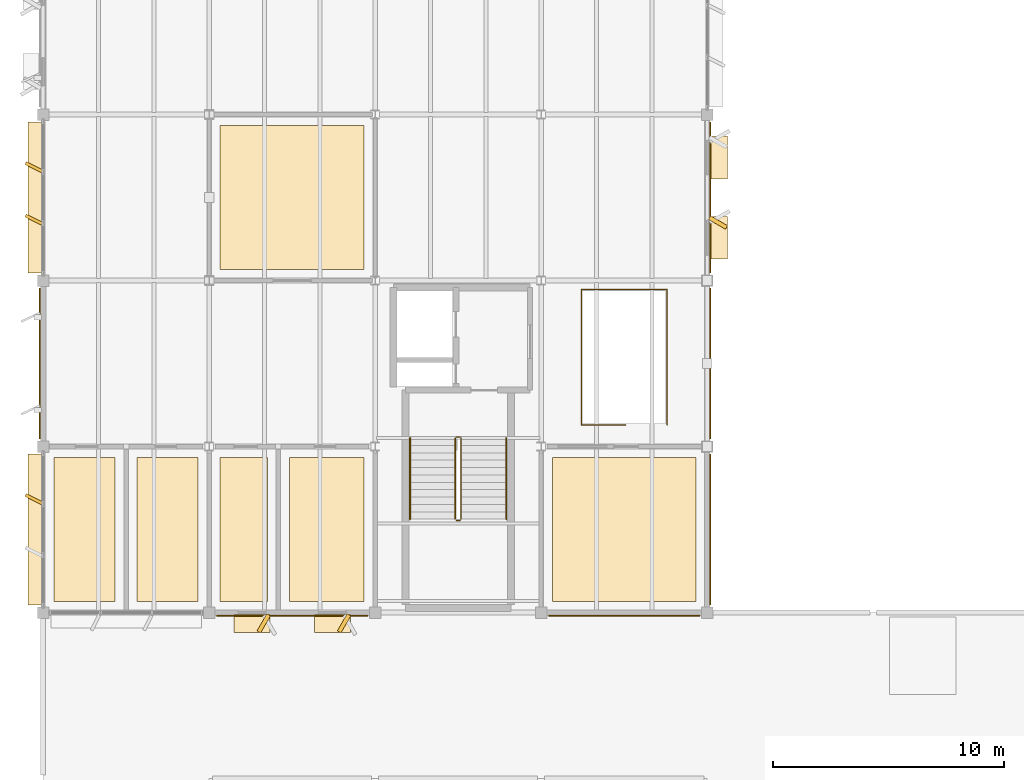
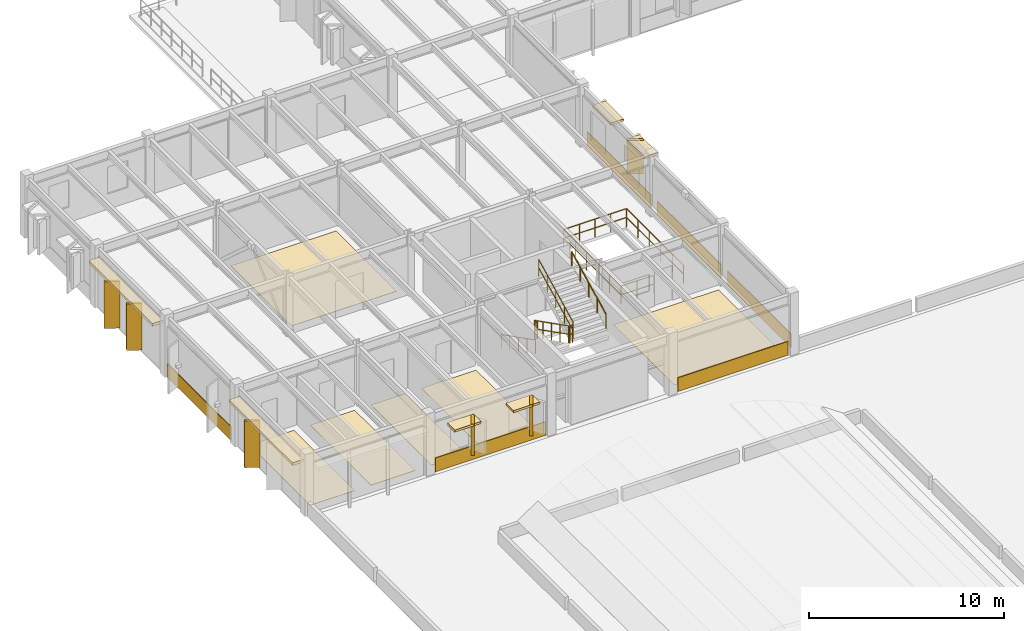
# One storey, part 72 of 82: 24 coverings, 7 railings.
"""IFC4 building model written with IfcOpenShell, lengths in metres."""

from ifc_helpers import new_model, si_unit, direction, frame, frame_2d, origin, origin_2d, place, context, subcontext, project, spatial, polyline, rectangle, circle, outline, extrude, material, layer, layer_set, type_object, element, save


model = new_model("IFC4")

# Units and contexts
model_context = context("Model", 3, precision=1e-05, world=origin(), true_north=direction((0.0, 1.0)))
body_context = subcontext(model_context, "Body", "Model", "MODEL_VIEW")
ifc_project = project(units=[si_unit("LENGTHUNIT", "METRE"), si_unit("AREAUNIT", "SQUARE_METRE"), si_unit("VOLUMEUNIT", "CUBIC_METRE"), si_unit("PLANEANGLEUNIT", "RADIAN"), si_unit("MASSUNIT", "GRAM", prefix="KILO")], contexts=[model_context])

# Site, building, storey
site_placement = place(None, origin())
site = spatial("IfcSite", under=ifc_project, at=site_placement, CompositionType="ELEMENT")
building_placement = place(site_placement, origin())
building = spatial("IfcBuilding", under=site, at=building_placement, Name="Sillqori Civic Hall", CompositionType="ELEMENT")
storey_placement = place(building_placement, frame((0.0, 0.0, 14.10009765625)))
storey = spatial("IfcBuildingStorey", under=building, at=storey_placement, Name="L04", CompositionType="ELEMENT", Elevation=14.10009765625)

# Coverings
ifc_material_1 = material(Name="Cochabamba Honed Limestone Cladding", Category="masonry")
ifc_layer_1 = layer(ifc_material_1, 0.044921875)
ifc_layer_set_1 = layer_set([ifc_layer_1], Name="Cochabamba Honed Limestone Cladding")
covering_type_1 = type_object("IfcCoveringType", Name="COV-CLAD-LIME", PredefinedType="CLADDING", material=ifc_layer_set_1)
covering_1_placement = place(storey_placement, frame((6.8798828125, 50.72998046875, 2.991943359375), z_axis=(0.0, 0.0, 1.0), x_axis=(0.0, 1.0, 0.0)))
element("IfcCovering", 1, at=covering_1_placement, inside=storey, type_object=covering_type_1, Name="L04 curtain-wall limestone solar hood L04-01-07-W", PredefinedType="CLADDING", context=body_context, shape_type="SweptSolid", body=[
    extrude(rectangle(XDim=6.5400390625, YDim=0.679931640625, at=frame_2d((3.27001953125, 0.0))), origin(), (0.0, 0.0, 1.0), 0.179931640625),
])
covering_2_placement = place(storey_placement, frame((7.14990234375, 55.138916015625, 0.059814453125), z_axis=(0.0, 0.0, 1.0), x_axis=(-0.894366527193, 0.447334902547, 0.0)))
element("IfcCovering", 2, at=covering_2_placement, inside=storey, type_object=covering_type_1, Name="L04 curtain-wall angled stone fin L04-01-07-W.2", PredefinedType="CLADDING", context=body_context, shape_type="SweptSolid", body=[
    extrude(rectangle(XDim=0.804931640625, YDim=0.139892578125, at=frame_2d((0.40234375, 0.0))), origin(), (0.0, 0.0, 1.0), 2.93212890625),
])
covering_3_placement = place(storey_placement, frame((7.06005859375, 57.929931640625, 0.039794921875), z_axis=(0.0, 0.0, 1.0), x_axis=(0.0, 1.0, 0.0)))
element("IfcCovering", 3, at=covering_3_placement, inside=storey, type_object=covering_type_1, Name="L04 limestone spandrel cladding L04-01-08-W", PredefinedType="CLADDING", context=body_context, shape_type="SweptSolid", body=[
    extrude(rectangle(XDim=6.5400390625, YDim=0.044921875, at=frame_2d((3.27001953125, 0.0))), origin(), (0.0, 0.0, 1.0), 0.860107421875),
])
covering_4_placement = place(storey_placement, frame((6.8798828125, 65.1298828125, 2.991943359375), z_axis=(0.0, 0.0, 1.0), x_axis=(0.0, 1.0, 0.0)))
element("IfcCovering", 4, at=covering_4_placement, inside=storey, type_object=covering_type_1, Name="L04 curtain-wall limestone solar hood L04-01-09-W", PredefinedType="CLADDING", context=body_context, shape_type="SweptSolid", body=[
    extrude(rectangle(XDim=6.5400390625, YDim=0.679931640625, at=frame_2d((3.27001953125, 0.0))), origin(), (0.0, 0.0, 1.0), 0.179931640625),
])
for number, where, z_axis, x_axis, name in (
    (5, (7.14990234375, 67.260986328125, 0.059814453125), (0.0, 0.0, 1.0), (-0.894366527193, 0.447334902547, 0.0), "L04 curtain-wall angled stone fin L04-01-09-W.1"),
    (6, (7.14990234375, 69.5390625, 0.059814453125), (0.0, 0.0, 1.0), (-0.894487846579, 0.44709226377, 0.0), "L04 curtain-wall angled stone fin L04-01-09-W.2"),
):
    element("IfcCovering", number, at=place(storey_placement, frame(where, z_axis=z_axis, x_axis=x_axis)), inside=storey, type_object=covering_type_1, Name=name, PredefinedType="CLADDING", context=body_context, shape_type="SweptSolid", body=[
        extrude(rectangle(XDim=0.804931640625, YDim=0.139892578125, at=frame_2d((0.40234375, 0.0))), origin(), (0.0, 0.0, 1.0), 2.93212890625),
    ])
covering_5_placement = place(storey_placement, frame((21.27001953125, 50.260009765625, 0.039794921875), z_axis=(0.0, 0.0, 1.0), x_axis=(-1.0, 0.0, 0.0)))
element("IfcCovering", 7, at=covering_5_placement, inside=storey, type_object=covering_type_1, Name="L04 limestone spandrel cladding L04-02-07-S", PredefinedType="CLADDING", context=body_context, shape_type="SweptSolid", body=[
    extrude(rectangle(XDim=6.5400390625, YDim=0.044921875, at=frame_2d((3.27001953125, 0.0))), origin(), (0.0, 0.0, 1.0), 0.860107421875),
])
covering_6_placement = place(storey_placement, frame((20.4619140625, 50.300048828125, 0.829833984375), z_axis=(0.0, 0.0, 1.0), x_axis=(-0.499846793097, -0.866113839764, 0.0)))
element("IfcCovering", 8, at=covering_6_placement, inside=storey, type_object=covering_type_1, Name="Sawtooth limestone angled reveal cheek L04-02-07-S.1", PredefinedType="CLADDING", context=body_context, shape_type="SweptSolid", body=[
    extrude(rectangle(XDim=0.849853515625, YDim=0.179931640625, at=frame_2d((0.4248046875, 0.0))), origin(), (0.0, 0.0, 1.0), 2.0),
])
covering_7_placement = place(storey_placement, frame((20.52197265625, 49.919921875, 2.68994140625), z_axis=(0.0, 0.0, 1.0), x_axis=(-1.0, 0.0, 0.0)))
element("IfcCovering", 9, at=covering_7_placement, inside=storey, type_object=covering_type_1, Name="Sawtooth limestone window hood L04-02-07-S.1", PredefinedType="CLADDING", context=body_context, shape_type="SweptSolid", body=[
    extrude(rectangle(XDim=1.56005859375, YDim=0.780029296875, at=frame_2d((0.780029296875, 0.0))), origin(), (0.0, 0.0, 1.0), 0.139892578125),
])
covering_8_placement = place(storey_placement, frame((16.97802734375, 50.300048828125, 0.829833984375), z_axis=(0.0, 0.0, 1.0), x_axis=(-0.500062241894, -0.865989465428, 0.0)))
element("IfcCovering", 10, at=covering_8_placement, inside=storey, type_object=covering_type_1, Name="Sawtooth limestone angled reveal cheek L04-02-07-S.2", PredefinedType="CLADDING", context=body_context, shape_type="SweptSolid", body=[
    extrude(rectangle(XDim=0.85009765625, YDim=0.179931640625, at=frame_2d((0.425048828125, 0.0))), origin(), (0.0, 0.0, 1.0), 2.0),
])
covering_9_placement = place(storey_placement, frame((17.0380859375, 49.919921875, 2.68994140625), z_axis=(0.0, 0.0, 1.0), x_axis=(-1.0, 0.0, 0.0)))
element("IfcCovering", 11, at=covering_9_placement, inside=storey, type_object=covering_type_1, Name="Sawtooth limestone window hood L04-02-07-S.2", PredefinedType="CLADDING", context=body_context, shape_type="SweptSolid", body=[
    extrude(rectangle(XDim=1.56005859375, YDim=0.780029296875, at=frame_2d((0.780029296875, 0.0))), origin(), (0.0, 0.0, 1.0), 0.139892578125),
])
for number, where, z_axis, x_axis, name in (
    (12, (35.669921875, 50.260009765625, 0.039794921875), (0.0, 0.0, 1.0), (-1.0, 0.0, 0.0), "L04 limestone spandrel cladding L04-04-07-S"),
    (13, (36.139892578125, 57.27001953125, 0.039794921875), (0.0, 0.0, 1.0), (0.0, -1.0, 0.0), "L04 limestone spandrel cladding L04-04-07-E"),
    (14, (36.139892578125, 64.469970703125, 0.039794921875), (0.0, 0.0, 1.0), (0.0, -1.0, 0.0), "L04 limestone spandrel cladding L04-04-08-E"),
    (15, (36.139892578125, 71.669921875, 0.039794921875), (0.0, 0.0, 1.0), (0.0, -1.0, 0.0), "L04 limestone spandrel cladding L04-04-09-E"),
):
    element("IfcCovering", number, at=place(storey_placement, frame(where, z_axis=z_axis, x_axis=x_axis)), inside=storey, type_object=covering_type_1, Name=name, PredefinedType="CLADDING", context=body_context, shape_type="SweptSolid", body=[
        extrude(rectangle(XDim=6.5400390625, YDim=0.044921875, at=frame_2d((3.27001953125, 0.0))), origin(), (0.0, 0.0, 1.0), 0.860107421875),
    ])
covering_10_placement = place(storey_placement, frame((36.47998046875, 71.072021484375, 2.789794921875), z_axis=(0.0, 0.0, 1.0), x_axis=(0.0, -1.0, 0.0)))
element("IfcCovering", 16, at=covering_10_placement, inside=storey, type_object=covering_type_1, Name="Sawtooth limestone window hood L04-04-09-E.1", PredefinedType="CLADDING", context=body_context, shape_type="SweptSolid", body=[
    extrude(rectangle(XDim=1.860107421875, YDim=0.780029296875, at=frame_2d((0.93017578125, 0.0))), origin(), (0.0, 0.0, 1.0), 0.14013671875),
])
covering_11_placement = place(storey_placement, frame((36.10009765625, 67.528076171875, 0.829833984375), z_axis=(0.0, 0.0, 1.0), x_axis=(0.865989465428, -0.500062241894, 0.0)))
element("IfcCovering", 17, at=covering_11_placement, inside=storey, type_object=covering_type_1, Name="Sawtooth limestone angled reveal cheek L04-04-09-E.2", PredefinedType="CLADDING", context=body_context, shape_type="SweptSolid", body=[
    extrude(rectangle(XDim=0.85009765625, YDim=0.179931640625, at=frame_2d((0.425048828125, 0.0))), origin(), (0.0, 0.0, 1.0), 2.10009765625),
])
covering_12_placement = place(storey_placement, frame((36.47998046875, 67.587890625, 2.789794921875), z_axis=(0.0, 0.0, 1.0), x_axis=(0.0, -1.0, 0.0)))
element("IfcCovering", 18, at=covering_12_placement, inside=storey, type_object=covering_type_1, Name="Sawtooth limestone window hood L04-04-09-E.2", PredefinedType="CLADDING", context=body_context, shape_type="SweptSolid", body=[
    extrude(rectangle(XDim=1.85986328125, YDim=0.780029296875, at=frame_2d((0.929931640625, 0.0))), origin(), (0.0, 0.0, 1.0), 0.14013671875),
])
ifc_material_2 = material(Name="Vitrified Porcelain Tile 18", Category="ceramic")
ifc_layer_2 = layer(ifc_material_2, 0.01806640625)
ifc_layer_set_2 = layer_set([ifc_layer_2], Name="Vitrified Porcelain Tile 18")
covering_type_2 = type_object("IfcCoveringType", Name="COV-FLR-P18", PredefinedType="FLOORING", material=ifc_layer_set_2)
covering_13_placement = place(storey_placement, origin())
element("IfcCovering", 19, at=covering_13_placement, inside=storey, type_object=covering_type_2, Name="Ethics and Oversight Committee Room floor finish", PredefinedType="FLOORING", context=body_context, shape_type="SweptSolid", body=[
    extrude(outline(polyline([(14.8798828125, 65.280029296875), (21.1201171875, 65.280029296875), (21.1201171875, 71.52001953125), (14.8798828125, 71.52001953125), (14.8798828125, 65.280029296875)])), origin(), (0.0, 0.0, 1.0), 0.017822265625),
])
ifc_material_3 = material(Name="Slip-Resistant R11 Porcelain Tile", Category="ceramic")
ifc_layer_3 = layer(ifc_material_3, 0.02001953125)
ifc_layer_set_3 = layer_set([ifc_layer_3], Name="Slip-Resistant R11 Porcelain Tile")
covering_type_3 = type_object("IfcCoveringType", Name="COV-FLR-POR", PredefinedType="FLOORING", material=ifc_layer_set_3)
covering_14_placement = place(storey_placement, origin())
element("IfcCovering", 20, at=covering_14_placement, inside=storey, type_object=covering_type_3, Name="L04 Public Male WC floor finish", PredefinedType="FLOORING", context=body_context, shape_type="SweptSolid", body=[
    extrude(outline(polyline([(7.679931640625, 50.8798828125), (10.320068359375, 50.8798828125), (10.320068359375, 57.1201171875), (7.679931640625, 57.1201171875), (7.679931640625, 50.8798828125)])), origin(), (0.0, 0.0, 1.0), 0.02001953125),
])
covering_15_placement = place(storey_placement, origin())
element("IfcCovering", 21, at=covering_15_placement, inside=storey, type_object=covering_type_3, Name="L04 Public Female WC floor finish", PredefinedType="FLOORING", context=body_context, shape_type="SweptSolid", body=[
    extrude(outline(polyline([(11.280029296875, 50.8798828125), (13.919921875, 50.8798828125), (13.919921875, 57.1201171875), (11.280029296875, 57.1201171875), (11.280029296875, 50.8798828125)])), origin(), (0.0, 0.0, 1.0), 0.02001953125),
])
covering_16_placement = place(storey_placement, origin())
element("IfcCovering", 22, at=covering_16_placement, inside=storey, type_object=covering_type_3, Name="L04 Accessible WC floor finish", PredefinedType="FLOORING", context=body_context, shape_type="SweptSolid", body=[
    extrude(outline(polyline([(14.8798828125, 50.8798828125), (16.919921875, 50.8798828125), (16.919921875, 57.1201171875), (14.8798828125, 57.1201171875), (14.8798828125, 50.8798828125)])), origin(), (0.0, 0.0, 1.0), 0.02001953125),
])
covering_17_placement = place(storey_placement, origin())
element("IfcCovering", 23, at=covering_17_placement, inside=storey, type_object=covering_type_3, Name="L04 Staff Sanitary and Cleaners Room floor finish", PredefinedType="FLOORING", context=body_context, shape_type="SweptSolid", body=[
    extrude(outline(polyline([(17.8798828125, 50.8798828125), (21.1201171875, 50.8798828125), (21.1201171875, 57.1201171875), (17.8798828125, 57.1201171875), (17.8798828125, 50.8798828125)])), origin(), (0.0, 0.0, 1.0), 0.02001953125),
])
ifc_material_4 = material(Name="Seamless Polyurethane Acoustic Screed 12", Category="resin")
ifc_layer_4 = layer(ifc_material_4, 0.011962890625)
ifc_layer_set_4 = layer_set([ifc_layer_4], Name="Seamless Polyurethane Acoustic Screed 12")
covering_type_4 = type_object("IfcCoveringType", Name="COV-FLR-R12", PredefinedType="FLOORING", material=ifc_layer_set_4)
covering_18_placement = place(storey_placement, origin())
element("IfcCovering", 24, at=covering_18_placement, inside=storey, type_object=covering_type_4, Name="Councillors Legislative Research Suite floor finish", PredefinedType="FLOORING", context=body_context, shape_type="SweptSolid", body=[
    extrude(outline(polyline([(29.280029296875, 50.8798828125), (35.52001953125, 50.8798828125), (35.52001953125, 57.1201171875), (29.280029296875, 57.1201171875), (29.280029296875, 50.8798828125)])), origin(), (0.0, 0.0, 1.0), 0.011962890625),
])

# Railings
ifc_material_5 = material(Name="Architectural Bronze and Tempered Glass Balustrade", Category="glass")
ifc_layer_5 = layer(ifc_material_5, 0.080078125)
ifc_layer_set_5 = layer_set([ifc_layer_5], Name="Architectural Bronze and Tempered Glass Balustrade")
railing_type_1 = type_object("IfcRailingType", Name="RLG-BALU-115", PredefinedType="BALUSTRADE", material=ifc_layer_set_5)
railing_1_placement = place(storey_placement, frame((32.4599609375, 58.5400390625, 0.0)))
element("IfcRailing", 25, at=railing_1_placement, inside=storey, type_object=railing_type_1, Name="Directorate Wing Stair L03-L04 upper atrium well balustrade", PredefinedType="BALUSTRADE", context=body_context, shape_type="SweptSolid", body=[
    extrude(circle(Radius=0.02392578125, at=origin_2d()), frame((0.0, 0.0, 1.1259765625), z_axis=(-1.0, 0.0, 0.0), x_axis=(0.0, -1.0, 0.0)), (0.0, 0.0, 1.0), 1.919921875),
    extrude(circle(Radius=0.02392578125, at=origin_2d()), frame((0.0, 0.0, 0.574951171875), z_axis=(-1.0, 0.0, 0.0), x_axis=(0.0, -1.0, 0.0)), (0.0, 0.0, 1.0), 1.919921875),
    extrude(circle(Radius=0.02392578125, at=origin_2d()), frame((-1.919921875, 0.0, 1.1259765625), z_axis=(0.0, 1.0, 0.0), x_axis=(-1.0, 0.0, 0.0)), (0.0, 0.0, 1.0), 5.869873046875),
    extrude(circle(Radius=0.02392578125, at=origin_2d()), frame((-1.919921875, 0.0, 0.574951171875), z_axis=(0.0, 1.0, 0.0), x_axis=(-1.0, 0.0, 0.0)), (0.0, 0.0, 1.0), 5.869873046875),
    extrude(circle(Radius=0.02392578125, at=origin_2d()), frame((-1.919921875, 5.869873046875, 1.1259765625), z_axis=(1.0, 0.0, 0.0), x_axis=(0.0, 1.0, 0.0)), (0.0, 0.0, 1.0), 3.719970703125),
    extrude(circle(Radius=0.02392578125, at=origin_2d()), frame((-1.919921875, 5.869873046875, 0.574951171875), z_axis=(1.0, 0.0, 0.0), x_axis=(0.0, 1.0, 0.0)), (0.0, 0.0, 1.0), 3.719970703125),
    extrude(circle(Radius=0.02392578125, at=origin_2d()), frame((1.800048828125, 5.869873046875, 1.1259765625), z_axis=(0.0, -1.0, 0.0), x_axis=(1.0, 0.0, 0.0)), (0.0, 0.0, 1.0), 5.869873046875),
    extrude(circle(Radius=0.02392578125, at=origin_2d()), frame((1.800048828125, 5.869873046875, 0.574951171875), z_axis=(0.0, -1.0, 0.0), x_axis=(1.0, 0.0, 0.0)), (0.0, 0.0, 1.0), 5.869873046875),
    extrude(circle(Radius=0.02099609375, at=origin_2d()), origin(), (0.0, 0.0, 1.0), 1.101806640625),
    extrude(circle(Radius=0.02099609375, at=origin_2d()), frame((-0.9599609375, 0.0, 0.0)), (0.0, 0.0, 1.0), 1.101806640625),
    extrude(circle(Radius=0.02099609375, at=origin_2d()), frame((-1.919921875, 0.0, 0.0)), (0.0, 0.0, 1.0), 1.101806640625),
    extrude(circle(Radius=0.02099609375, at=origin_2d()), frame((-1.919921875, 1.174072265625, 0.0)), (0.0, 0.0, 1.0), 1.101806640625),
    extrude(circle(Radius=0.02099609375, at=origin_2d()), frame((-1.919921875, 2.347900390625, 0.0)), (0.0, 0.0, 1.0), 1.101806640625),
    extrude(circle(Radius=0.02099609375, at=origin_2d()), frame((-1.919921875, 3.52197265625, 0.0)), (0.0, 0.0, 1.0), 1.101806640625),
    extrude(circle(Radius=0.02099609375, at=origin_2d()), frame((-1.919921875, 4.69580078125, 0.0)), (0.0, 0.0, 1.0), 1.101806640625),
    extrude(circle(Radius=0.02099609375, at=origin_2d()), frame((-1.919921875, 5.869873046875, 0.0)), (0.0, 0.0, 1.0), 1.101806640625),
    extrude(circle(Radius=0.02099609375, at=origin_2d()), frame((-0.989990234375, 5.869873046875, 0.0)), (0.0, 0.0, 1.0), 1.101806640625),
    extrude(circle(Radius=0.02099609375, at=origin_2d()), frame((-0.06005859375, 5.869873046875, 0.0)), (0.0, 0.0, 1.0), 1.101806640625),
    extrude(circle(Radius=0.02099609375, at=origin_2d()), frame((0.8701171875, 5.869873046875, 0.0)), (0.0, 0.0, 1.0), 1.101806640625),
    extrude(circle(Radius=0.02099609375, at=origin_2d()), frame((1.800048828125, 5.869873046875, 0.0)), (0.0, 0.0, 1.0), 1.101806640625),
    extrude(circle(Radius=0.02099609375, at=origin_2d()), frame((1.800048828125, 4.69580078125, 0.0)), (0.0, 0.0, 1.0), 1.101806640625),
    extrude(circle(Radius=0.02099609375, at=origin_2d()), frame((1.800048828125, 3.52197265625, 0.0)), (0.0, 0.0, 1.0), 1.101806640625),
    extrude(circle(Radius=0.02099609375, at=origin_2d()), frame((1.800048828125, 2.347900390625, 0.0)), (0.0, 0.0, 1.0), 1.101806640625),
    extrude(circle(Radius=0.02099609375, at=origin_2d()), frame((1.800048828125, 1.174072265625, 0.0)), (0.0, 0.0, 1.0), 1.101806640625),
    extrude(circle(Radius=0.02099609375, at=origin_2d()), frame((1.800048828125, 0.0, 0.0)), (0.0, 0.0, 1.0), 1.101806640625),
])
ifc_material_6 = material(Name="Brushed Stainless Steel 316 Handrail", Category="steel")
ifc_layer_6 = layer(ifc_material_6, 0.044921875)
ifc_layer_set_6 = layer_set([ifc_layer_6], Name="Brushed Stainless Steel 316 Handrail")
railing_type_2 = type_object("IfcRailingType", Name="RLG-CORE-092", PredefinedType="HANDRAIL", material=ifc_layer_set_6)
railing_2_placement = place(storey_placement, frame((23.110107421875, 57.969970703125, 0.162353515625)))
element("IfcRailing", 26, at=railing_2_placement, inside=storey, type_object=railing_type_2, Name="L04 ST-04 stair handrail 1", PredefinedType="HANDRAIL", context=body_context, shape_type="SweptSolid", body=[
    extrude(circle(Radius=0.02392578125, at=origin_2d()), frame((0.0, 0.0, 0.8759765625), z_axis=(0.0, -0.891614535321, 0.452795230103), x_axis=(1.0, 0.0, 0.0)), (0.0, 0.0, 1.0), 3.947998046875),
    extrude(circle(Radius=0.02099609375, at=origin_2d()), origin(), (0.0, 0.0, 1.0), 0.851806640625),
    extrude(circle(Radius=0.02099609375, at=origin_2d()), frame((0.0, -0.8798828125, 0.44677734375)), (0.0, 0.0, 1.0), 0.851806640625),
    extrude(circle(Radius=0.02099609375, at=origin_2d()), frame((0.0, -1.760009765625, 0.893798828125)), (0.0, 0.0, 1.0), 0.851806640625),
    extrude(circle(Radius=0.02099609375, at=origin_2d()), frame((0.0, -2.64013671875, 1.3408203125)), (0.0, 0.0, 1.0), 0.851806640625),
    extrude(circle(Radius=0.02099609375, at=origin_2d()), frame((0.0, -3.52001953125, 1.78759765625)), (0.0, 0.0, 1.0), 0.851806640625),
])
railing_3_placement = place(storey_placement, frame((27.2900390625, 54.449951171875, 2.1123046875)))
element("IfcRailing", 27, at=railing_3_placement, inside=storey, type_object=railing_type_2, Name="L04 ST-04 stair handrail 2", PredefinedType="HANDRAIL", context=body_context, shape_type="SweptSolid", body=[
    extrude(circle(Radius=0.02392578125, at=origin_2d()), frame((0.0, 0.0, 0.8759765625), z_axis=(0.0, 0.891614535321, 0.452795230103), x_axis=(-1.0, 0.0, 0.0)), (0.0, 0.0, 1.0), 3.947998046875),
    extrude(circle(Radius=0.02099609375, at=origin_2d()), origin(), (0.0, 0.0, 1.0), 0.851806640625),
    extrude(circle(Radius=0.02099609375, at=origin_2d()), frame((0.0, 0.8798828125, 0.44677734375)), (0.0, 0.0, 1.0), 0.851806640625),
    extrude(circle(Radius=0.02099609375, at=origin_2d()), frame((0.0, 1.760009765625, 0.893798828125)), (0.0, 0.0, 1.0), 0.851806640625),
    extrude(circle(Radius=0.02099609375, at=origin_2d()), frame((0.0, 2.64013671875, 1.3408203125)), (0.0, 0.0, 1.0), 0.851806640625),
    extrude(circle(Radius=0.02099609375, at=origin_2d()), frame((0.0, 3.52001953125, 1.78759765625)), (0.0, 0.0, 1.0), 0.851806640625),
])
ifc_material_7 = material(Name="Galvanized Painted Steel Guardrail", Category="steel")
ifc_layer_7 = layer(ifc_material_7, 0.050048828125)
ifc_layer_set_7 = layer_set([ifc_layer_7], Name="Galvanized Painted Steel Guardrail")
railing_type_3 = type_object("IfcRailingType", Name="RLG-CORE-110", PredefinedType="GUARDRAIL", material=ifc_layer_set_7)
railing_4_placement = place(storey_placement, frame((25.070068359375, 57.969970703125, 0.162353515625)))
element("IfcRailing", 28, at=railing_4_placement, inside=storey, type_object=railing_type_3, Name="L04 ST-04 stair guard 1", PredefinedType="GUARDRAIL", context=body_context, shape_type="SweptSolid", body=[
    extrude(circle(Radius=0.02392578125, at=origin_2d()), frame((0.0, 0.0, 1.076171875), z_axis=(0.0, -0.891614535321, 0.452795230103), x_axis=(1.0, 0.0, 0.0)), (0.0, 0.0, 1.0), 3.947998046875),
    extrude(circle(Radius=0.02392578125, at=origin_2d()), frame((0.0, 0.0, 0.550048828125), z_axis=(0.0, -0.891614535321, 0.452795230103), x_axis=(1.0, 0.0, 0.0)), (0.0, 0.0, 1.0), 3.947998046875),
    extrude(circle(Radius=0.02099609375, at=origin_2d()), origin(), (0.0, 0.0, 1.0), 1.052001953125),
    extrude(circle(Radius=0.02099609375, at=origin_2d()), frame((0.0, -0.8798828125, 0.44677734375)), (0.0, 0.0, 1.0), 1.052001953125),
    extrude(circle(Radius=0.02099609375, at=origin_2d()), frame((0.0, -1.760009765625, 0.893798828125)), (0.0, 0.0, 1.0), 1.052001953125),
    extrude(circle(Radius=0.02099609375, at=origin_2d()), frame((0.0, -2.64013671875, 1.3408203125)), (0.0, 0.0, 1.0), 1.052001953125),
    extrude(circle(Radius=0.02099609375, at=origin_2d()), frame((0.0, -3.52001953125, 1.78759765625)), (0.0, 0.0, 1.0), 1.052001953125),
])
railing_5_placement = place(storey_placement, frame((25.1201171875, 54.39990234375, 1.949951171875)))
element("IfcRailing", 29, at=railing_5_placement, inside=storey, type_object=railing_type_3, Name="L04 ST-04 stair guard 2", PredefinedType="GUARDRAIL", context=body_context, shape_type="SweptSolid", body=[
    extrude(circle(Radius=0.02392578125, at=origin_2d()), frame((0.0, 0.0, 1.076171875), z_axis=(1.0, 0.0, 0.0), x_axis=(0.0, 1.0, 0.0)), (0.0, 0.0, 1.0), 0.159912109375),
    extrude(circle(Radius=0.02392578125, at=origin_2d()), frame((0.0, 0.0, 0.550048828125), z_axis=(1.0, 0.0, 0.0), x_axis=(0.0, 1.0, 0.0)), (0.0, 0.0, 1.0), 0.159912109375),
    extrude(circle(Radius=0.02099609375, at=origin_2d()), origin(), (0.0, 0.0, 1.0), 1.052001953125),
    extrude(circle(Radius=0.02099609375, at=origin_2d()), frame((0.159912109375, 0.0, 0.0)), (0.0, 0.0, 1.0), 1.052001953125),
])
railing_6_placement = place(storey_placement, frame((25.330078125, 54.449951171875, 2.1123046875)))
element("IfcRailing", 30, at=railing_6_placement, inside=storey, type_object=railing_type_3, Name="L04 ST-04 stair guard 3", PredefinedType="GUARDRAIL", context=body_context, shape_type="SweptSolid", body=[
    extrude(circle(Radius=0.02392578125, at=origin_2d()), frame((0.0, 0.0, 1.076171875), z_axis=(0.0, 0.891614535321, 0.452795230103), x_axis=(-1.0, 0.0, 0.0)), (0.0, 0.0, 1.0), 3.947998046875),
    extrude(circle(Radius=0.02392578125, at=origin_2d()), frame((0.0, 0.0, 0.550048828125), z_axis=(0.0, 0.891614535321, 0.452795230103), x_axis=(-1.0, 0.0, 0.0)), (0.0, 0.0, 1.0), 3.947998046875),
    extrude(circle(Radius=0.02099609375, at=origin_2d()), origin(), (0.0, 0.0, 1.0), 1.052001953125),
    extrude(circle(Radius=0.02099609375, at=origin_2d()), frame((0.0, 0.8798828125, 0.44677734375)), (0.0, 0.0, 1.0), 1.052001953125),
    extrude(circle(Radius=0.02099609375, at=origin_2d()), frame((0.0, 1.760009765625, 0.893798828125)), (0.0, 0.0, 1.0), 1.052001953125),
    extrude(circle(Radius=0.02099609375, at=origin_2d()), frame((0.0, 2.64013671875, 1.3408203125)), (0.0, 0.0, 1.0), 1.052001953125),
    extrude(circle(Radius=0.02099609375, at=origin_2d()), frame((0.0, 3.52001953125, 1.78759765625)), (0.0, 0.0, 1.0), 1.052001953125),
])
railing_7_placement = place(storey_placement, frame((25.1201171875, 58.02001953125, 0.0)))
element("IfcRailing", 31, at=railing_7_placement, inside=storey, type_object=railing_type_3, Name="L04 ST-04 stair guard 4", PredefinedType="GUARDRAIL", context=body_context, shape_type="SweptSolid", body=[
    extrude(circle(Radius=0.02392578125, at=origin_2d()), frame((0.0, 0.0, 1.076171875), z_axis=(1.0, 0.0, 0.0), x_axis=(0.0, 1.0, 0.0)), (0.0, 0.0, 1.0), 0.159912109375),
    extrude(circle(Radius=0.02392578125, at=origin_2d()), frame((0.0, 0.0, 0.550048828125), z_axis=(1.0, 0.0, 0.0), x_axis=(0.0, 1.0, 0.0)), (0.0, 0.0, 1.0), 0.159912109375),
    extrude(circle(Radius=0.02099609375, at=origin_2d()), origin(), (0.0, 0.0, 1.0), 1.052001953125),
    extrude(circle(Radius=0.02099609375, at=origin_2d()), frame((0.159912109375, 0.0, 0.0)), (0.0, 0.0, 1.0), 1.052001953125),
])

save(model, "model.ifc")
